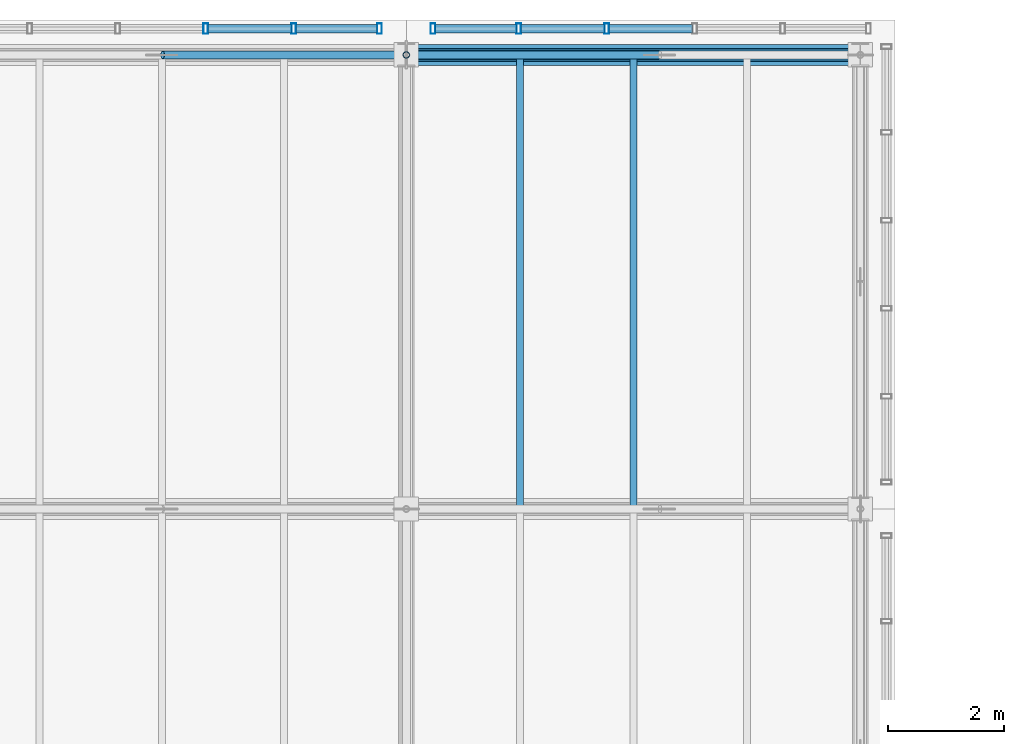
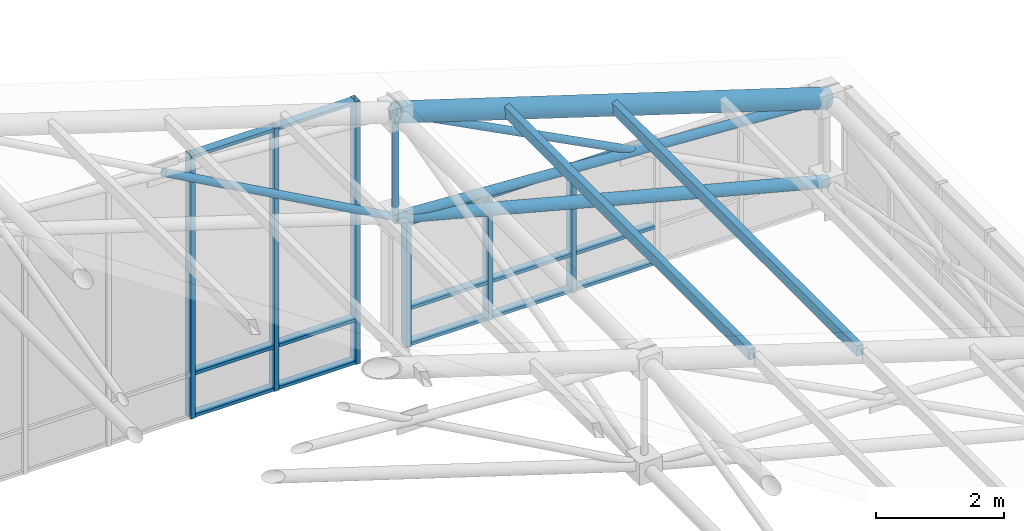
# One storey, part 102 of 144: 29 members, 2 elements without a shape of their own.
"""IFC4 building model written with IfcOpenShell, lengths in metres."""

from ifc_helpers import new_model, si_unit, direction, frame, origin, origin_2d, place, context, subcontext, project, spatial, hollow_rectangle, hollow_circle, extrude, material, layer, layer_set, material_profile, profile_set, type_object, element, aggregate, save


model = new_model("IFC4")

# Units and contexts
model_context = context("Model", 3, precision=1e-05, world=origin(), true_north=direction((0.0, 1.0)))
body_context = subcontext(model_context, "Body", "Model", "MODEL_VIEW")
ifc_project = project(units=[si_unit("LENGTHUNIT", "METRE"), si_unit("AREAUNIT", "SQUARE_METRE"), si_unit("VOLUMEUNIT", "CUBIC_METRE"), si_unit("PLANEANGLEUNIT", "RADIAN"), si_unit("MASSUNIT", "GRAM", prefix="KILO")], contexts=[model_context])

# Site, building, storey
site_placement = place(None, origin())
site = spatial("IfcSite", under=ifc_project, at=site_placement, CompositionType="ELEMENT")
building_placement = place(site_placement, origin())
building = spatial("IfcBuilding", under=site, at=building_placement, Name="Zayran Congress Hotel", CompositionType="ELEMENT")
storey_placement = place(building_placement, frame((0.0, 0.0, 19.199951171875)))
storey = spatial("IfcBuildingStorey", under=building, at=storey_placement, Name="L04", CompositionType="ELEMENT", Elevation=19.199951171875)

# Members
ifc_material_1 = material(Name="Steel S355", Category="steel")
ifc_material_profile_1 = material_profile(ifc_material_1, hollow_circle(Radius=0.177734375, WallThickness=0.01611328125, at=origin_2d()), Name="CHS 355.6x16")
ifc_profile_set_1 = profile_set([ifc_material_profile_1], Name="Steel S355")
member_type_1 = type_object("IfcMemberType", Name="TP-SF-TC1", PredefinedType="CHORD", material=ifc_profile_set_1)
member_1_placement = place(storey_placement, frame((84.0, 117.39990234375, 4.652099609375), z_axis=(0.953669693314, 0.0, -0.300855639892), x_axis=(0.0, 1.0, 0.0)))
element("IfcMember", 1, at=member_1_placement, inside=storey, type_object=member_type_1, Name="Space Frame Top Chord X 538", PredefinedType="CHORD", context=body_context, shape_type="SweptSolid", body=[
    extrude(hollow_circle(Radius=0.177734375, WallThickness=0.01611328125, at=origin_2d()), origin(), (0.0, 0.0, 1.0), 8.178955078125),
])
ifc_material_profile_2 = material_profile(ifc_material_1, hollow_circle(Radius=0.109619140625, WallThickness=0.010009765625, at=origin_2d()), Name="CHS 219.1x10")
ifc_profile_set_2 = profile_set([ifc_material_profile_2], Name="Steel S355")
member_type_2 = type_object("IfcMemberType", Name="TP-SF-BC1", PredefinedType="CHORD", material=ifc_profile_set_2)
member_2_placement = place(storey_placement, frame((84.0, 117.39990234375, 2.650146484375), z_axis=(0.967153699015, 0.0, -0.254192294301), x_axis=(0.0, 1.0, 0.0)))
element("IfcMember", 2, at=member_2_placement, inside=storey, type_object=member_type_2, Name="Space Frame Bottom Chord X 539", PredefinedType="CHORD", context=body_context, shape_type="SweptSolid", body=[
    extrude(hollow_circle(Radius=0.109619140625, WallThickness=0.010009765625, at=origin_2d()), origin(), (0.0, 0.0, 1.0), 8.06494140625),
])
ifc_material_profile_3 = material_profile(ifc_material_1, hollow_circle(Radius=0.084228515625, WallThickness=0.008056640625, at=origin_2d()), Name="CHS 168.3x8")
ifc_profile_set_3 = profile_set([ifc_material_profile_3], Name="Steel S355")
member_type_3 = type_object("IfcMemberType", Name="TP-SF-DG1", PredefinedType="BRACE", material=ifc_profile_set_3)
member_3_placement = place(storey_placement, frame((84.0, 117.39990234375, 2.650146484375), z_axis=(0.998275019581, 0.0, -0.058711032013), x_axis=(0.0, 1.0, 0.0)))
element("IfcMember", 3, at=member_3_placement, inside=storey, type_object=member_type_3, Name="Space Frame Web Diagonal X 540", PredefinedType="BRACE", context=body_context, shape_type="SweptSolid", body=[
    extrude(hollow_circle(Radius=0.084228515625, WallThickness=0.008056640625, at=origin_2d()), origin(), (0.0, 0.0, 1.0), 7.8134765625),
])
ifc_material_profile_4 = material_profile(ifc_material_1, hollow_circle(Radius=0.06982421875, WallThickness=0.00634765625, at=origin_2d()), Name="CHS 139.7x6.3")
ifc_profile_set_4 = profile_set([ifc_material_profile_4], Name="Steel S355")
member_type_4 = type_object("IfcMemberType", Name="TP-SF-DG2", PredefinedType="BRACE", material=ifc_profile_set_4)
member_4_placement = place(storey_placement, frame((79.81298828125, 117.39990234375, 4.96875), z_axis=(0.874822952575, 0.0, -0.484442774379), x_axis=(0.0, 1.0, 0.0)))
element("IfcMember", 4, at=member_4_placement, inside=storey, type_object=member_type_4, Name="Space Frame Counter Diagonal X Lower 75", PredefinedType="BRACE", context=body_context, shape_type="SweptSolid", body=[
    extrude(hollow_circle(Radius=0.06982421875, WallThickness=0.00634765625, at=origin_2d()), origin(), (0.0, 0.0, 1.0), 4.7861328125),
])
member_5_placement = place(storey_placement, frame((84.0, 117.39990234375, 4.652099609375), z_axis=(0.887399308867, 0.0, -0.461001590694), x_axis=(0.0, 1.0, 0.0)))
element("IfcMember", 5, at=member_5_placement, inside=storey, type_object=member_type_4, Name="Space Frame Counter Diagonal X Upper 541", PredefinedType="BRACE", context=body_context, shape_type="SweptSolid", body=[
    extrude(hollow_circle(Radius=0.06982421875, WallThickness=0.00634765625, at=origin_2d()), origin(), (0.0, 0.0, 1.0), 4.88232421875),
])
ifc_material_profile_5 = material_profile(ifc_material_1, hollow_circle(Radius=0.05712890625, WallThickness=0.00634765625, at=origin_2d()), Name="CHS 114.3x6.3")
ifc_profile_set_5 = profile_set([ifc_material_profile_5], Name="Steel S355")
member_type_5 = type_object("IfcMemberType", Name="TP-SF-DG3", PredefinedType="BRACE", material=ifc_profile_set_5)
member_6_placement = place(storey_placement, frame((84.0, 117.39990234375, 2.650146484375), z_axis=(0.0, 0.0, 1.0), x_axis=(0.0, 1.0, 0.0)))
element("IfcMember", 6, at=member_6_placement, inside=storey, type_object=member_type_5, Name="Space Frame Web Strut 542", PredefinedType="BRACE", context=body_context, shape_type="SweptSolid", body=[
    extrude(hollow_circle(Radius=0.05712890625, WallThickness=0.00634765625, at=origin_2d()), origin(), (0.0, 0.0, 1.0), 2.001953125),
])
ifc_material_profile_6 = material_profile(ifc_material_1, hollow_rectangle(XDim=0.1201171875, YDim=0.199951171875, WallThickness=0.008056640625, at=origin_2d()), Name="RHS 200x120x8")
ifc_profile_set_6 = profile_set([ifc_material_profile_6], Name="Steel S355")
member_type_6 = type_object("IfcMemberType", Name="TP-PR-01", PredefinedType="PURLIN", material=ifc_profile_set_6)
for number, where, z_axis, x_axis, name in (
    (7, (85.949951171875, 109.60009765625, 4.078857421875), (0.0, 1.0, 0.0), (-1.0, 0.0, 0.0), "MEM-PR-V1-0168"),
    (8, (87.89990234375, 109.60009765625, 3.4638671875), (0.0, 1.0, 0.0), (-1.0, 0.0, 0.0), "MEM-PR-V1-0174"),
):
    element("IfcMember", number, at=place(storey_placement, frame(where, z_axis=z_axis, x_axis=x_axis)), inside=storey, type_object=member_type_6, Name=name, PredefinedType="PURLIN", context=body_context, shape_type="SweptSolid", body=[
        extrude(hollow_rectangle(XDim=0.1201171875, YDim=0.199951171875, WallThickness=0.008056640625, at=origin_2d()), origin(), (0.0, 0.0, 1.0), 7.7998046875),
    ])

# Curtain wall, members
ifc_material_2 = material(Name="Anodised aluminium and low-E insulated glass", Category="aluminium")
ifc_layer_1 = layer(ifc_material_2, 0.179931640625)
ifc_layer_set_1 = layer_set([ifc_layer_1], Name="Anodised aluminium and low-E insulated glass")
curtain_wall_type_1 = type_object("IfcCurtainWallType", Name="CW-V1CL-L04-CW-23-7560-5020", PredefinedType="USERDEFINED", material=ifc_layer_set_1)
curtain_wall_1_placement = place(storey_placement, origin())
curtain_wall_1 = element("IfcCurtainWall", 9, at=curtain_wall_1_placement, inside=storey, type_object=curtain_wall_type_1, Name="CW-V1CLN-8", ObjectType="CURTAIN WALL", PredefinedType="USERDEFINED")
ifc_material_3 = material(Name="Anodised aluminium framing", Category="aluminium")
ifc_material_profile_7 = material_profile(ifc_material_3, hollow_rectangle(XDim=0.080078125, YDim=0.179931640625, WallThickness=0.0048828125, at=origin_2d()), Name="RHS 180x80x5")
ifc_profile_set_7 = profile_set([ifc_material_profile_7], Name="Anodised aluminium framing")
member_type_7 = type_object("IfcMemberType", Name="TP-CWM-01", PredefinedType="MULLION", material=ifc_profile_set_7)
member_7_placement = place(storey_placement, frame((83.5400390625, 117.85009765625, -0.219970703125), z_axis=(0.0, 0.0, 1.0), x_axis=(1.0, 0.0, 0.0)))
member_7 = element("IfcMember", 10, at=member_7_placement, type_object=member_type_7, Name="CW-V1CLN-8-M00", PredefinedType="MULLION", context=body_context, shape_type="SweptSolid", body=[
    extrude(hollow_rectangle(XDim=0.080078125, YDim=0.179931640625, WallThickness=0.0048828125, at=origin_2d()), origin(), (0.0, 0.0, 1.0), 5.02001953125),
])
member_8_placement = place(storey_placement, frame((82.068115234375, 117.85009765625, -0.219970703125), z_axis=(0.0, 0.0, 1.0), x_axis=(1.0, 0.0, 0.0)))
member_8 = element("IfcMember", 11, at=member_8_placement, type_object=member_type_7, Name="CW-V1CLN-8-M01", PredefinedType="MULLION", context=body_context, shape_type="SweptSolid", body=[
    extrude(hollow_rectangle(XDim=0.080078125, YDim=0.179931640625, WallThickness=0.0048828125, at=origin_2d()), origin(), (0.0, 0.0, 1.0), 5.02001953125),
])
member_9_placement = place(storey_placement, frame((80.555908203125, 117.85009765625, -0.219970703125), z_axis=(0.0, 0.0, 1.0), x_axis=(1.0, 0.0, 0.0)))
member_9 = element("IfcMember", 12, at=member_9_placement, type_object=member_type_7, Name="CW-V1CLN-8-M02", PredefinedType="MULLION", context=body_context, shape_type="SweptSolid", body=[
    extrude(hollow_rectangle(XDim=0.080078125, YDim=0.179931640625, WallThickness=0.0048828125, at=origin_2d()), origin(), (0.0, 0.0, 1.0), 5.02001953125),
])

ifc_layer_2 = layer(ifc_material_2, 0.179931640625)
ifc_layer_set_2 = layer_set([ifc_layer_2], Name="Anodised aluminium and low-E insulated glass")
curtain_wall_type_2 = type_object("IfcCurtainWallType", Name="CW-V1CL-L04-CW-21-7560-2370", PredefinedType="USERDEFINED", material=ifc_layer_set_2)
curtain_wall_2_placement = place(storey_placement, origin())
curtain_wall_2 = element("IfcCurtainWall", 13, at=curtain_wall_2_placement, inside=storey, type_object=curtain_wall_type_2, Name="CW-V1CLN-9", ObjectType="CURTAIN WALL", PredefinedType="USERDEFINED")
member_10_placement = place(storey_placement, frame((87.444091796875, 117.85009765625, -0.219970703125), z_axis=(0.0, 0.0, 1.0), x_axis=(1.0, 0.0, 0.0)))
member_10 = element("IfcMember", 14, at=member_10_placement, type_object=member_type_7, Name="CW-V1CLN-9-M03", PredefinedType="MULLION", context=body_context, shape_type="SweptSolid", body=[
    extrude(hollow_rectangle(XDim=0.080078125, YDim=0.179931640625, WallThickness=0.0048828125, at=origin_2d()), origin(), (0.0, 0.0, 1.0), 2.3701171875),
])
member_11_placement = place(storey_placement, frame((85.931884765625, 117.85009765625, -0.219970703125), z_axis=(0.0, 0.0, 1.0), x_axis=(1.0, 0.0, 0.0)))
member_11 = element("IfcMember", 15, at=member_11_placement, type_object=member_type_7, Name="CW-V1CLN-9-M04", PredefinedType="MULLION", context=body_context, shape_type="SweptSolid", body=[
    extrude(hollow_rectangle(XDim=0.080078125, YDim=0.179931640625, WallThickness=0.0048828125, at=origin_2d()), origin(), (0.0, 0.0, 1.0), 2.3701171875),
])
member_12_placement = place(storey_placement, frame((84.4599609375, 117.85009765625, -0.219970703125), z_axis=(0.0, 0.0, 1.0), x_axis=(1.0, 0.0, 0.0)))
member_12 = element("IfcMember", 16, at=member_12_placement, type_object=member_type_7, Name="CW-V1CLN-9-M05", PredefinedType="MULLION", context=body_context, shape_type="SweptSolid", body=[
    extrude(hollow_rectangle(XDim=0.080078125, YDim=0.179931640625, WallThickness=0.0048828125, at=origin_2d()), origin(), (0.0, 0.0, 1.0), 2.3701171875),
])

# Member
ifc_material_profile_8 = material_profile(ifc_material_3, hollow_rectangle(XDim=0.06005859375, YDim=0.14990234375, WallThickness=0.00390625, at=origin_2d()), Name="RHS 150x60x4")
ifc_profile_set_8 = profile_set([ifc_material_profile_8], Name="Anodised aluminium framing")
member_type_8 = type_object("IfcMemberType", Name="TP-CWT-01", PredefinedType="USERDEFINED", material=ifc_profile_set_8)
member_13_placement = place(storey_placement, frame((83.5, 117.85009765625, -0.18994140625), z_axis=(-1.0, 0.0, 0.0), x_axis=(0.0, 0.0, 1.0)))
member_13 = element("IfcMember", 17, at=member_13_placement, type_object=member_type_8, Name="CW-V1CLN-8-T00-0", ObjectType="TRANSOM", PredefinedType="USERDEFINED", context=body_context, shape_type="SweptSolid", body=[
    extrude(hollow_rectangle(XDim=0.06005859375, YDim=0.14990234375, WallThickness=0.00390625, at=origin_2d()), origin(), (0.0, 0.0, 1.0), 1.39208984375),
])

member_14_placement = place(storey_placement, frame((83.5, 117.85009765625, 0.6201171875), z_axis=(-1.0, 0.0, 0.0), x_axis=(0.0, 0.0, 1.0)))
member_14 = element("IfcMember", 18, at=member_14_placement, type_object=member_type_8, Name="CW-V1CLN-8-T00-1", ObjectType="TRANSOM", PredefinedType="USERDEFINED", context=body_context, shape_type="SweptSolid", body=[
    extrude(hollow_rectangle(XDim=0.06005859375, YDim=0.14990234375, WallThickness=0.00390625, at=origin_2d()), origin(), (0.0, 0.0, 1.0), 1.39208984375),
])

member_15_placement = place(storey_placement, frame((83.5, 117.85009765625, 4.77001953125), z_axis=(-1.0, 0.0, 0.0), x_axis=(0.0, 0.0, 1.0)))
member_15 = element("IfcMember", 19, at=member_15_placement, type_object=member_type_8, Name="CW-V1CLN-8-T00-2", ObjectType="TRANSOM", PredefinedType="USERDEFINED", context=body_context, shape_type="SweptSolid", body=[
    extrude(hollow_rectangle(XDim=0.06005859375, YDim=0.14990234375, WallThickness=0.00390625, at=origin_2d()), origin(), (0.0, 0.0, 1.0), 1.39208984375),
])

member_16_placement = place(storey_placement, frame((82.028076171875, 117.85009765625, -0.18994140625), z_axis=(-1.0, 0.0, 0.0), x_axis=(0.0, 0.0, 1.0)))
member_16 = element("IfcMember", 20, at=member_16_placement, type_object=member_type_8, Name="CW-V1CLN-8-T01-0", ObjectType="TRANSOM", PredefinedType="USERDEFINED", context=body_context, shape_type="SweptSolid", body=[
    extrude(hollow_rectangle(XDim=0.06005859375, YDim=0.14990234375, WallThickness=0.00390625, at=origin_2d()), origin(), (0.0, 0.0, 1.0), 1.43212890625),
])

member_17_placement = place(storey_placement, frame((82.028076171875, 117.85009765625, 0.6201171875), z_axis=(-1.0, 0.0, 0.0), x_axis=(0.0, 0.0, 1.0)))
member_17 = element("IfcMember", 21, at=member_17_placement, type_object=member_type_8, Name="CW-V1CLN-8-T01-1", ObjectType="TRANSOM", PredefinedType="USERDEFINED", context=body_context, shape_type="SweptSolid", body=[
    extrude(hollow_rectangle(XDim=0.06005859375, YDim=0.14990234375, WallThickness=0.00390625, at=origin_2d()), origin(), (0.0, 0.0, 1.0), 1.43212890625),
])

member_18_placement = place(storey_placement, frame((82.028076171875, 117.85009765625, 4.77001953125), z_axis=(-1.0, 0.0, 0.0), x_axis=(0.0, 0.0, 1.0)))
member_18 = element("IfcMember", 22, at=member_18_placement, type_object=member_type_8, Name="CW-V1CLN-8-T01-2", ObjectType="TRANSOM", PredefinedType="USERDEFINED", context=body_context, shape_type="SweptSolid", body=[
    extrude(hollow_rectangle(XDim=0.06005859375, YDim=0.14990234375, WallThickness=0.00390625, at=origin_2d()), origin(), (0.0, 0.0, 1.0), 1.43212890625),
])

aggregate(curtain_wall_1, [member_7, member_8, member_9, member_13, member_14, member_15, member_16, member_17, member_18])

member_19_placement = place(storey_placement, frame((88.916015625, 117.85009765625, -0.18994140625), z_axis=(-1.0, 0.0, 0.0), x_axis=(0.0, 0.0, 1.0)))
member_19 = element("IfcMember", 23, at=member_19_placement, type_object=member_type_8, Name="CW-V1CLN-9-T02-0", ObjectType="TRANSOM", PredefinedType="USERDEFINED", context=body_context, shape_type="SweptSolid", body=[
    extrude(hollow_rectangle(XDim=0.06005859375, YDim=0.14990234375, WallThickness=0.00390625, at=origin_2d()), origin(), (0.0, 0.0, 1.0), 1.43212890625),
])

member_20_placement = place(storey_placement, frame((88.916015625, 117.85009765625, 0.5), z_axis=(-1.0, 0.0, 0.0), x_axis=(0.0, 0.0, 1.0)))
member_20 = element("IfcMember", 24, at=member_20_placement, type_object=member_type_8, Name="CW-V1CLN-9-T02-1", ObjectType="TRANSOM", PredefinedType="USERDEFINED", context=body_context, shape_type="SweptSolid", body=[
    extrude(hollow_rectangle(XDim=0.06005859375, YDim=0.14990234375, WallThickness=0.00390625, at=origin_2d()), origin(), (0.0, 0.0, 1.0), 1.43212890625),
])

member_21_placement = place(storey_placement, frame((88.916015625, 117.85009765625, 2.1201171875), z_axis=(-1.0, 0.0, 0.0), x_axis=(0.0, 0.0, 1.0)))
member_21 = element("IfcMember", 25, at=member_21_placement, type_object=member_type_8, Name="CW-V1CLN-9-T02-2", ObjectType="TRANSOM", PredefinedType="USERDEFINED", context=body_context, shape_type="SweptSolid", body=[
    extrude(hollow_rectangle(XDim=0.06005859375, YDim=0.14990234375, WallThickness=0.00390625, at=origin_2d()), origin(), (0.0, 0.0, 1.0), 1.43212890625),
])

member_22_placement = place(storey_placement, frame((87.404052734375, 117.85009765625, -0.18994140625), z_axis=(-1.0, 0.0, 0.0), x_axis=(0.0, 0.0, 1.0)))
member_22 = element("IfcMember", 26, at=member_22_placement, type_object=member_type_8, Name="CW-V1CLN-9-T03-0", ObjectType="TRANSOM", PredefinedType="USERDEFINED", context=body_context, shape_type="SweptSolid", body=[
    extrude(hollow_rectangle(XDim=0.06005859375, YDim=0.14990234375, WallThickness=0.00390625, at=origin_2d()), origin(), (0.0, 0.0, 1.0), 1.43212890625),
])

member_23_placement = place(storey_placement, frame((87.404052734375, 117.85009765625, 0.5), z_axis=(-1.0, 0.0, 0.0), x_axis=(0.0, 0.0, 1.0)))
member_23 = element("IfcMember", 27, at=member_23_placement, type_object=member_type_8, Name="CW-V1CLN-9-T03-1", ObjectType="TRANSOM", PredefinedType="USERDEFINED", context=body_context, shape_type="SweptSolid", body=[
    extrude(hollow_rectangle(XDim=0.06005859375, YDim=0.14990234375, WallThickness=0.00390625, at=origin_2d()), origin(), (0.0, 0.0, 1.0), 1.43212890625),
])

member_24_placement = place(storey_placement, frame((87.404052734375, 117.85009765625, 2.1201171875), z_axis=(-1.0, 0.0, 0.0), x_axis=(0.0, 0.0, 1.0)))
member_24 = element("IfcMember", 28, at=member_24_placement, type_object=member_type_8, Name="CW-V1CLN-9-T03-2", ObjectType="TRANSOM", PredefinedType="USERDEFINED", context=body_context, shape_type="SweptSolid", body=[
    extrude(hollow_rectangle(XDim=0.06005859375, YDim=0.14990234375, WallThickness=0.00390625, at=origin_2d()), origin(), (0.0, 0.0, 1.0), 1.43212890625),
])

member_25_placement = place(storey_placement, frame((85.89208984375, 117.85009765625, -0.18994140625), z_axis=(-1.0, 0.0, 0.0), x_axis=(0.0, 0.0, 1.0)))
member_25 = element("IfcMember", 29, at=member_25_placement, type_object=member_type_8, Name="CW-V1CLN-9-T04-0", ObjectType="TRANSOM", PredefinedType="USERDEFINED", context=body_context, shape_type="SweptSolid", body=[
    extrude(hollow_rectangle(XDim=0.06005859375, YDim=0.14990234375, WallThickness=0.00390625, at=origin_2d()), origin(), (0.0, 0.0, 1.0), 1.39208984375),
])

member_26_placement = place(storey_placement, frame((85.89208984375, 117.85009765625, 0.5), z_axis=(-1.0, 0.0, 0.0), x_axis=(0.0, 0.0, 1.0)))
member_26 = element("IfcMember", 30, at=member_26_placement, type_object=member_type_8, Name="CW-V1CLN-9-T04-1", ObjectType="TRANSOM", PredefinedType="USERDEFINED", context=body_context, shape_type="SweptSolid", body=[
    extrude(hollow_rectangle(XDim=0.06005859375, YDim=0.14990234375, WallThickness=0.00390625, at=origin_2d()), origin(), (0.0, 0.0, 1.0), 1.39208984375),
])

member_27_placement = place(storey_placement, frame((85.89208984375, 117.85009765625, 2.1201171875), z_axis=(-1.0, 0.0, 0.0), x_axis=(0.0, 0.0, 1.0)))
member_27 = element("IfcMember", 31, at=member_27_placement, type_object=member_type_8, Name="CW-V1CLN-9-T04-2", ObjectType="TRANSOM", PredefinedType="USERDEFINED", context=body_context, shape_type="SweptSolid", body=[
    extrude(hollow_rectangle(XDim=0.06005859375, YDim=0.14990234375, WallThickness=0.00390625, at=origin_2d()), origin(), (0.0, 0.0, 1.0), 1.39208984375),
])

aggregate(curtain_wall_2, [member_10, member_11, member_12, member_19, member_20, member_21, member_22, member_23, member_24, member_25, member_26, member_27])

save(model, "model.ifc")
